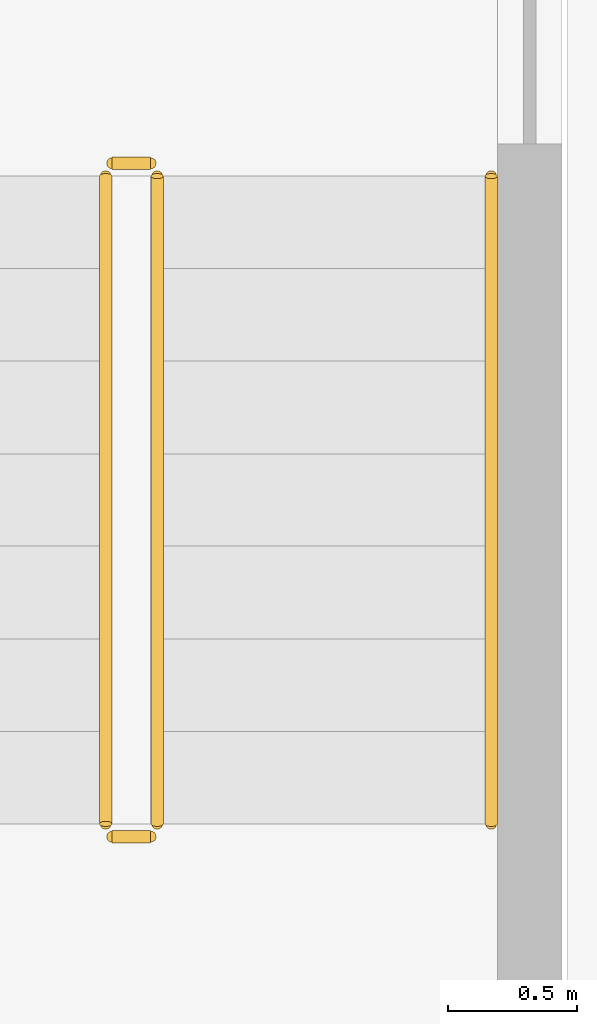
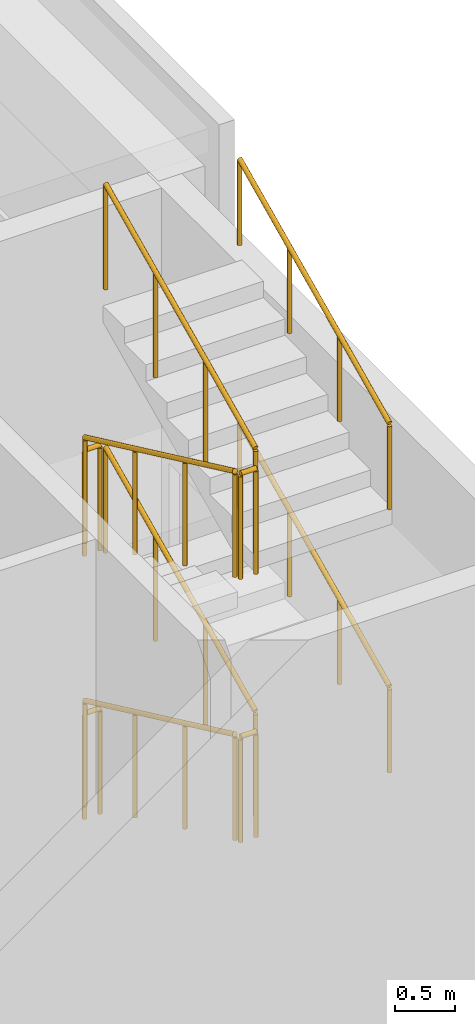
# One storey, part 62 of 85: 10 railings.
"""IFC4 building model written with IfcOpenShell, lengths in metres."""

from ifc_helpers import new_model, si_unit, direction, frame, origin, origin_2d, place, context, subcontext, project, spatial, circle, extrude, material, type_object, element, save


model = new_model("IFC4")

# Units and contexts
model_context = context("Model", 3, precision=1e-05, world=origin(), true_north=direction((0.0, 1.0)))
body_context = subcontext(model_context, "Body", "Model", "MODEL_VIEW")
ifc_project = project(units=[si_unit("LENGTHUNIT", "METRE"), si_unit("AREAUNIT", "SQUARE_METRE"), si_unit("VOLUMEUNIT", "CUBIC_METRE"), si_unit("PLANEANGLEUNIT", "RADIAN"), si_unit("MASSUNIT", "GRAM", prefix="KILO")], contexts=[model_context])

# Site, building, storey
site_placement = place(None, origin())
site = spatial("IfcSite", under=ifc_project, at=site_placement, CompositionType="ELEMENT")
building_placement = place(site_placement, origin())
building = spatial("IfcBuilding", under=site, at=building_placement, Name="Lantern Court Research Institute", CompositionType="ELEMENT")
storey_placement = place(building_placement, origin())
storey = spatial("IfcBuildingStorey", under=building, at=storey_placement, Name="L00", CompositionType="ELEMENT", Elevation=0.0)

# Railings
ifc_material_1 = material(Name="Structural steel S355", Category="steel")
railing_type_1 = type_object("IfcRailingType", Name="Stair guard 1100 steel", PredefinedType="GUARDRAIL", material=ifc_material_1)
railing_1_placement = place(storey_placement, frame((77.425048828125, 54.5, 0.168701171875)))
element("IfcRailing", 1, at=railing_1_placement, inside=storey, type_object=railing_type_1, Name="L00 ST-H2 stair guard 1", PredefinedType="GUARDRAIL", context=body_context, shape_type="SweptSolid", body=[
    extrude(circle(Radius=0.02392578125, at=origin_2d()), frame((0.0, 0.0, 1.076171875), z_axis=(0.0, -0.905439972488, 0.424474329284), x_axis=(1.0, 0.0, 0.0)), (0.0, 0.0, 1.0), 2.783203125),
    extrude(circle(Radius=0.02099609375, at=origin_2d()), origin(), (0.0, 0.0, 1.0), 1.052001953125),
    extrude(circle(Radius=0.02099609375, at=origin_2d()), frame((0.0, -0.840087890625, 0.393798828125)), (0.0, 0.0, 1.0), 1.052001953125),
    extrude(circle(Radius=0.02099609375, at=origin_2d()), frame((0.0, -1.679931640625, 0.78759765625)), (0.0, 0.0, 1.0), 1.052001953125),
    extrude(circle(Radius=0.02099609375, at=origin_2d()), frame((0.0, -2.52001953125, 1.181396484375)), (0.0, 0.0, 1.0), 1.052001953125),
])
railing_2_placement = place(storey_placement, frame((77.449951171875, 51.929931640625, 1.35009765625)))
element("IfcRailing", 2, at=railing_2_placement, inside=storey, type_object=railing_type_1, Name="L00 ST-H2 stair guard 2", PredefinedType="GUARDRAIL", context=body_context, shape_type="SweptSolid", body=[
    extrude(circle(Radius=0.02392578125, at=origin_2d()), frame((0.0, 0.0, 1.076171875), z_axis=(1.0, 0.0, 0.0), x_axis=(0.0, 1.0, 0.0)), (0.0, 0.0, 1.0), 0.150146484375),
    extrude(circle(Radius=0.02099609375, at=origin_2d()), origin(), (0.0, 0.0, 1.0), 1.052001953125),
    extrude(circle(Radius=0.02099609375, at=origin_2d()), frame((0.150146484375, 0.0, 0.0)), (0.0, 0.0, 1.0), 1.052001953125),
])
railing_3_placement = place(storey_placement, frame((77.625, 51.97998046875, 1.518798828125)))
element("IfcRailing", 3, at=railing_3_placement, inside=storey, type_object=railing_type_1, Name="L00 ST-H2 stair guard 3", PredefinedType="GUARDRAIL", context=body_context, shape_type="SweptSolid", body=[
    extrude(circle(Radius=0.02392578125, at=origin_2d()), frame((0.0, 0.0, 1.076171875), z_axis=(0.0, 0.905473684625, 0.424402410988), x_axis=(-1.0, 0.0, 0.0)), (0.0, 0.0, 1.0), 2.783203125),
    extrude(circle(Radius=0.02099609375, at=origin_2d()), origin(), (0.0, 0.0, 1.0), 1.052001953125),
    extrude(circle(Radius=0.02099609375, at=origin_2d()), frame((0.0, 0.840087890625, 0.393798828125)), (0.0, 0.0, 1.0), 1.052001953125),
    extrude(circle(Radius=0.02099609375, at=origin_2d()), frame((0.0, 1.679931640625, 0.787353515625)), (0.0, 0.0, 1.0), 1.052001953125),
    extrude(circle(Radius=0.02099609375, at=origin_2d()), frame((0.0, 2.52001953125, 1.18115234375)), (0.0, 0.0, 1.0), 1.052001953125),
])
railing_4_placement = place(storey_placement, frame((77.449951171875, 54.550048828125, 2.699951171875)))
element("IfcRailing", 4, at=railing_4_placement, inside=storey, type_object=railing_type_1, Name="L00 ST-H2 stair guard 4", PredefinedType="GUARDRAIL", context=body_context, shape_type="SweptSolid", body=[
    extrude(circle(Radius=0.02392578125, at=origin_2d()), frame((0.0, 0.0, 1.076171875), z_axis=(1.0, 0.0, 0.0), x_axis=(0.0, 1.0, 0.0)), (0.0, 0.0, 1.0), 0.150146484375),
    extrude(circle(Radius=0.02099609375, at=origin_2d()), origin(), (0.0, 0.0, 1.0), 1.052001953125),
    extrude(circle(Radius=0.02099609375, at=origin_2d()), frame((0.150146484375, 0.0, 0.0)), (0.0, 0.0, 1.0), 1.052001953125),
])
railing_5_placement = place(storey_placement, frame((77.425048828125, 54.5, 2.86865234375)))
element("IfcRailing", 5, at=railing_5_placement, inside=storey, type_object=railing_type_1, Name="L00 ST-H2 stair guard 5", PredefinedType="GUARDRAIL", context=body_context, shape_type="SweptSolid", body=[
    extrude(circle(Radius=0.02392578125, at=origin_2d()), frame((0.0, 0.0, 1.076171875), z_axis=(0.0, -0.905439972488, 0.424474329284), x_axis=(1.0, 0.0, 0.0)), (0.0, 0.0, 1.0), 2.783203125),
    extrude(circle(Radius=0.02099609375, at=origin_2d()), origin(), (0.0, 0.0, 1.0), 1.052001953125),
    extrude(circle(Radius=0.02099609375, at=origin_2d()), frame((0.0, -0.840087890625, 0.393798828125)), (0.0, 0.0, 1.0), 1.052001953125),
    extrude(circle(Radius=0.02099609375, at=origin_2d()), frame((0.0, -1.679931640625, 0.78759765625)), (0.0, 0.0, 1.0), 1.052001953125),
    extrude(circle(Radius=0.02099609375, at=origin_2d()), frame((0.0, -2.52001953125, 1.181396484375)), (0.0, 0.0, 1.0), 1.052001953125),
])
railing_6_placement = place(storey_placement, frame((77.449951171875, 51.929931640625, 4.050048828125)))
element("IfcRailing", 6, at=railing_6_placement, inside=storey, type_object=railing_type_1, Name="L00 ST-H2 stair guard 6", PredefinedType="GUARDRAIL", context=body_context, shape_type="SweptSolid", body=[
    extrude(circle(Radius=0.02392578125, at=origin_2d()), frame((0.0, 0.0, 1.076171875), z_axis=(1.0, 0.0, 0.0), x_axis=(0.0, 1.0, 0.0)), (0.0, 0.0, 1.0), 0.150146484375),
    extrude(circle(Radius=0.02099609375, at=origin_2d()), origin(), (0.0, 0.0, 1.0), 1.052001953125),
    extrude(circle(Radius=0.02099609375, at=origin_2d()), frame((0.150146484375, 0.0, 0.0)), (0.0, 0.0, 1.0), 1.052001953125),
])
railing_7_placement = place(storey_placement, frame((77.625, 51.97998046875, 4.21875)))
element("IfcRailing", 7, at=railing_7_placement, inside=storey, type_object=railing_type_1, Name="L00 ST-H2 stair guard 7", PredefinedType="GUARDRAIL", context=body_context, shape_type="SweptSolid", body=[
    extrude(circle(Radius=0.02392578125, at=origin_2d()), frame((0.0, 0.0, 1.076171875), z_axis=(0.0, 0.905473684625, 0.424402410988), x_axis=(-1.0, 0.0, 0.0)), (0.0, 0.0, 1.0), 2.783203125),
    extrude(circle(Radius=0.02099609375, at=origin_2d()), origin(), (0.0, 0.0, 1.0), 1.052001953125),
    extrude(circle(Radius=0.02099609375, at=origin_2d()), frame((0.0, 0.840087890625, 0.393798828125)), (0.0, 0.0, 1.0), 1.052001953125),
    extrude(circle(Radius=0.02099609375, at=origin_2d()), frame((0.0, 1.679931640625, 0.787353515625)), (0.0, 0.0, 1.0), 1.052001953125),
    extrude(circle(Radius=0.02099609375, at=origin_2d()), frame((0.0, 2.52001953125, 1.18115234375)), (0.0, 0.0, 1.0), 1.052001953125),
])
railing_8_placement = place(storey_placement, frame((77.449951171875, 54.550048828125, 0.0)))
element("IfcRailing", 8, at=railing_8_placement, inside=storey, type_object=railing_type_1, Name="L00 ST-H2 stair guard 8", PredefinedType="GUARDRAIL", context=body_context, shape_type="SweptSolid", body=[
    extrude(circle(Radius=0.02392578125, at=origin_2d()), frame((0.0, 0.0, 1.076171875), z_axis=(1.0, 0.0, 0.0), x_axis=(0.0, 1.0, 0.0)), (0.0, 0.0, 1.0), 0.150146484375),
    extrude(circle(Radius=0.02099609375, at=origin_2d()), origin(), (0.0, 0.0, 1.0), 1.052001953125),
    extrude(circle(Radius=0.02099609375, at=origin_2d()), frame((0.150146484375, 0.0, 0.0)), (0.0, 0.0, 1.0), 1.052001953125),
])
ifc_material_2 = material(Name="Stainless steel 316", Category="steel")
railing_type_2 = type_object("IfcRailingType", Name="Stair handrail 900 steel", PredefinedType="HANDRAIL", material=ifc_material_2)
for number, where, name in (
    (9, (78.925048828125, 51.97998046875, 1.518798828125), "L00 ST-H2 stair handrail 2"),
    (10, (78.925048828125, 51.97998046875, 4.21875), "L00 ST-H2 stair handrail 4"),
):
    element("IfcRailing", number, at=place(storey_placement, frame(where)), inside=storey, type_object=railing_type_2, Name=name, PredefinedType="HANDRAIL", context=body_context, shape_type="SweptSolid", body=[
        extrude(circle(Radius=0.02392578125, at=origin_2d()), frame((0.0, 0.0, 0.8759765625), z_axis=(0.0, 0.905473684625, 0.424402410988), x_axis=(-1.0, 0.0, 0.0)), (0.0, 0.0, 1.0), 2.783203125),
        extrude(circle(Radius=0.02099609375, at=origin_2d()), origin(), (0.0, 0.0, 1.0), 0.851806640625),
        extrude(circle(Radius=0.02099609375, at=origin_2d()), frame((0.0, 0.840087890625, 0.393798828125)), (0.0, 0.0, 1.0), 0.851806640625),
        extrude(circle(Radius=0.02099609375, at=origin_2d()), frame((0.0, 1.679931640625, 0.787353515625)), (0.0, 0.0, 1.0), 0.851806640625),
        extrude(circle(Radius=0.02099609375, at=origin_2d()), frame((0.0, 2.52001953125, 1.18115234375)), (0.0, 0.0, 1.0), 0.851806640625),
    ])

save(model, "model.ifc")
